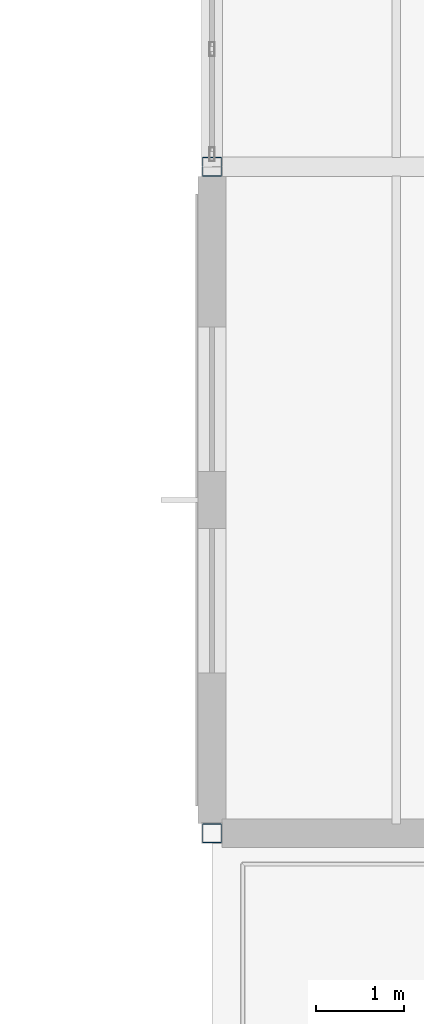
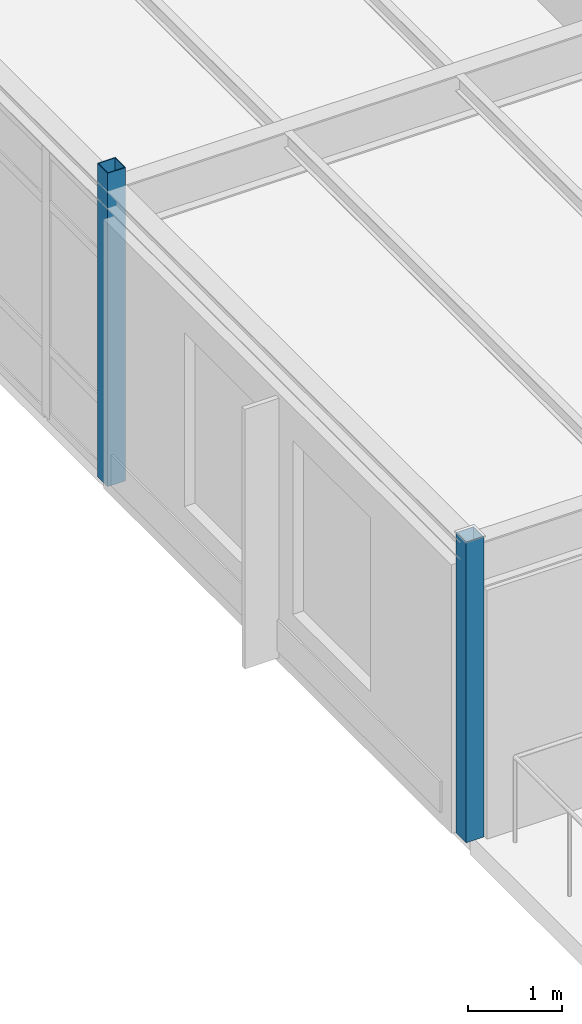
# One storey, part 7 of 114: 2 columns.
"""IFC4 building model written with IfcOpenShell, lengths in metres."""

from ifc_helpers import new_model, si_unit, direction, frame, origin, origin_2d, place, context, subcontext, project, spatial, hollow_rectangle, extrude, material, material_profile, profile_set, type_object, element, save


model = new_model("IFC4")

# Units and contexts
model_context = context("Model", 3, precision=1e-05, world=origin(), true_north=direction((0.0, 1.0)))
body_context = subcontext(model_context, "Body", "Model", "MODEL_VIEW")
ifc_project = project(units=[si_unit("LENGTHUNIT", "METRE"), si_unit("AREAUNIT", "SQUARE_METRE"), si_unit("VOLUMEUNIT", "CUBIC_METRE"), si_unit("PLANEANGLEUNIT", "RADIAN"), si_unit("MASSUNIT", "GRAM", prefix="KILO")], contexts=[model_context])

# Site, building, storey
site_placement = place(None, origin())
site = spatial("IfcSite", under=ifc_project, at=site_placement, CompositionType="ELEMENT")
building_placement = place(site_placement, origin())
building = spatial("IfcBuilding", under=site, at=building_placement, Name="Montecoro Central Library", CompositionType="ELEMENT")
storey_placement = place(building_placement, frame((0.0, 0.0, 13.260009765625)))
storey = spatial("IfcBuildingStorey", under=building, at=storey_placement, Name="L03", CompositionType="ELEMENT", Elevation=13.260009765625)

# Columns
ifc_material = material(Name="Steel S355", Category="steel")
ifc_material_profile = material_profile(ifc_material, hollow_rectangle(XDim=0.219970703125, YDim=0.219970703125, WallThickness=0.010009765625, at=origin_2d()), Name="SHS 220x220x10.0")
ifc_profile_set = profile_set([ifc_material_profile], Name="Steel S355")
column_type = type_object("IfcColumnType", Name="COL-SHS220", PredefinedType="COLUMN", material=ifc_profile_set)
column_1_placement = place(storey_placement, frame((66.39990234375, 88.60009765625, 0.0), z_axis=(0.0, 0.0, 1.0), x_axis=(1.0, 0.0, 0.0)))
element("IfcColumn", 1, at=column_1_placement, inside=storey, type_object=column_type, Name="V2-L03-COL-9-M", PredefinedType="COLUMN", context=body_context, shape_type="SweptSolid", body=[
    extrude(hollow_rectangle(XDim=0.219970703125, YDim=0.219970703125, WallThickness=0.010009765625, at=origin_2d()), origin(), (0.0, 0.0, 1.0), 3.885009765625),
])
column_2_placement = place(storey_placement, frame((66.39990234375, 96.199951171875, 0.0), z_axis=(0.0, 0.0, 1.0), x_axis=(1.0, 0.0, 0.0)))
element("IfcColumn", 2, at=column_2_placement, inside=storey, type_object=column_type, Name="V2-L03-COL-9-N", PredefinedType="COLUMN", context=body_context, shape_type="SweptSolid", body=[
    extrude(hollow_rectangle(XDim=0.219970703125, YDim=0.219970703125, WallThickness=0.010009765625, at=origin_2d()), origin(), (0.0, 0.0, 1.0), 4.054931640625),
])

save(model, "model.ifc")
